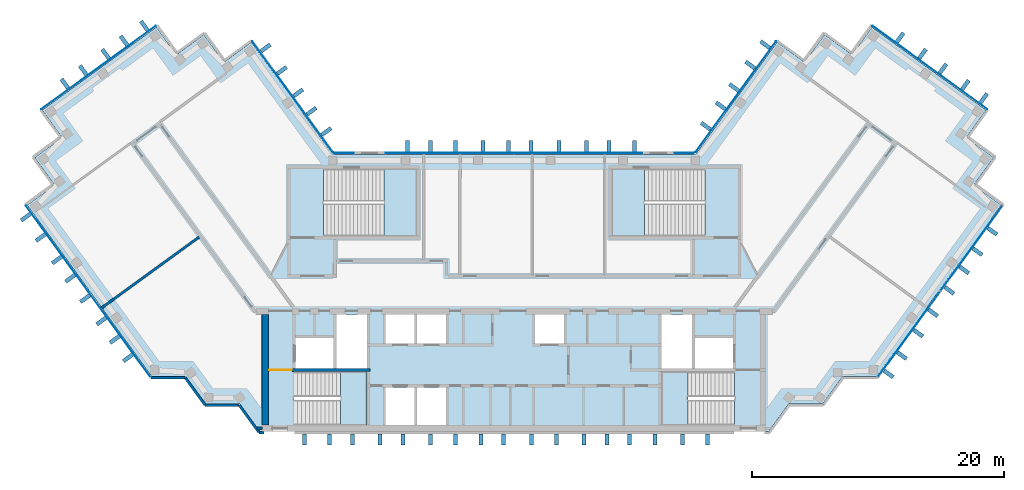
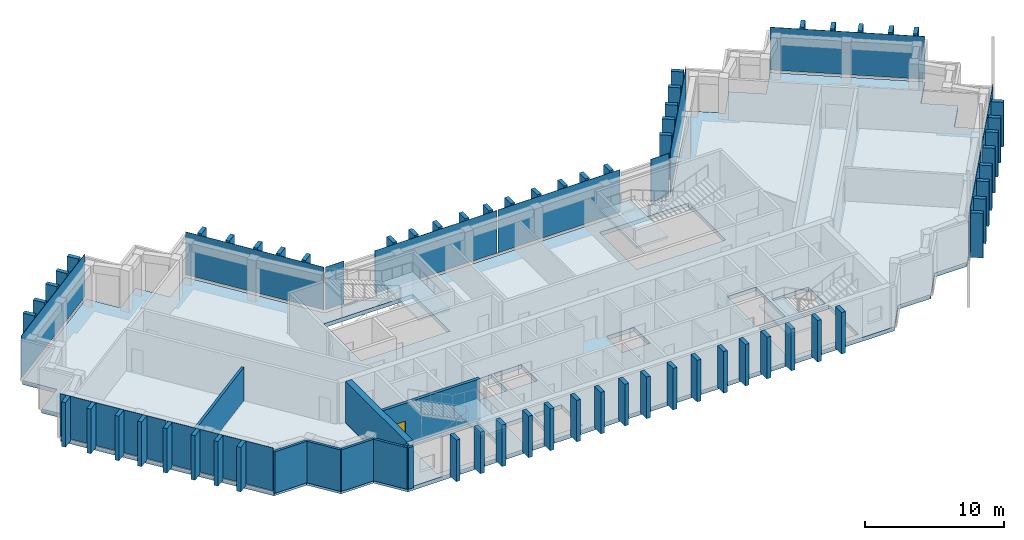
"""IFC4 building model written with IfcOpenShell, lengths in metres."""

from ifc_helpers import new_model, si_unit, direction, frame, frame_2d, origin, origin_2d, place, context, subcontext, project, spatial, polyline, rectangle, outline, extrude, material, layer, layer_set, type_object, element, fill, aggregate, save


model = new_model("IFC4")

# Units and contexts
model_context = context("Model", 3, precision=1e-05, world=origin(), true_north=direction((0.0, 1.0)))
body_context = subcontext(model_context, "Body", "Model", "MODEL_VIEW")
ifc_project = project(units=[si_unit("LENGTHUNIT", "METRE"), si_unit("AREAUNIT", "SQUARE_METRE"), si_unit("VOLUMEUNIT", "CUBIC_METRE"), si_unit("PLANEANGLEUNIT", "RADIAN"), si_unit("MASSUNIT", "GRAM", prefix="KILO")], contexts=[model_context])

# Site, building, storey
site_placement = place(None, origin())
site = spatial("IfcSite", under=ifc_project, at=site_placement, CompositionType="ELEMENT")
building_placement = place(site_placement, origin())
building = spatial("IfcBuilding", under=site, at=building_placement, Name="Quipu Civic Tower", CompositionType="ELEMENT")
storey_1_placement = place(building_placement, frame((0.0, 0.0, 339.0)))
storey_1 = spatial("IfcBuildingStorey", under=building, at=storey_1_placement, Name="L79", CompositionType="ELEMENT", Elevation=339.0)

# Slab
ifc_material_1 = material(Name="Concrete C40/50", Category="concrete")
ifc_layer_1 = layer(ifc_material_1, 0.35009765625)
ifc_layer_set_1 = layer_set([ifc_layer_1], Name="Concrete C40/50")
slab_type_1 = type_object("IfcSlabType", Name="Floor slab 350 C40/50", PredefinedType="FLOOR", material=ifc_layer_set_1)
slab_1_placement = place(storey_1_placement, frame((0.0, 0.0, -0.35009765625)))
element("IfcSlab", 1, at=slab_1_placement, inside=storey_1, type_object=slab_type_1, Name="Floor slab L79", PredefinedType="FLOOR", context=body_context, shape_type="SweptSolid", body=[
    extrude(outline(polyline([(20.860107421875, 19.89501953125), (23.0400390625, 18.31005859375), (24.6298828125, 20.4951171875), (26.81494140625, 18.905029296875), (28.39990234375, 21.090087890625), (37.4599609375, 14.5048828125), (35.875, 12.320068359375), (38.06005859375, 10.735107421875), (36.469970703125, 8.550048828125), (38.655029296875, 6.965087890625), (28.780029296875, -6.6298828125), (26.080078125, -6.6298828125), (24.489990234375, -8.81494140625), (21.7900390625, -8.81494140625), (20.205078125, -11.0), (-20.205078125, -11.0), (-21.7900390625, -8.81494140625), (-24.489990234375, -8.81494140625), (-26.080078125, -6.6298828125), (-28.780029296875, -6.6298828125), (-38.655029296875, 6.965087890625), (-36.469970703125, 8.550048828125), (-38.06005859375, 10.735107421875), (-35.875, 12.320068359375), (-37.4599609375, 14.5048828125), (-28.39990234375, 21.090087890625), (-26.81494140625, 18.905029296875), (-24.6298828125, 20.4951171875), (-23.0400390625, 18.31005859375), (-20.860107421875, 19.89501953125), (-14.39501953125, 11.0), (14.39501953125, 11.0), (20.860107421875, 19.89501953125)]), holes=[polyline([(-10.199951171875, -10.5), (-7.89990234375, -10.5), (-7.89990234375, -7.5), (-10.199951171875, -7.5), (-10.199951171875, -10.5)]), polyline([(-7.699951171875, -7.5), (-7.699951171875, -10.5), (-5.39990234375, -10.5), (-5.39990234375, -7.5), (-7.699951171875, -7.5)]), polyline([(-11.705078125, -6.2548828125), (-17.4951171875, -6.2548828125), (-17.4951171875, -10.4951171875), (-11.705078125, -10.4951171875), (-11.705078125, -6.2548828125)]), polyline([(-17.35009765625, -6.0), (-14.35009765625, -6.0), (-14.35009765625, -3.60009765625), (-17.35009765625, -3.60009765625), (-17.35009765625, -6.0)]), polyline([(-14.10009765625, -1.699951171875), (-14.10009765625, -6.0), (-11.699951171875, -6.0), (-11.699951171875, -1.699951171875), (-14.10009765625, -1.699951171875)]), polyline([(-10.199951171875, -1.699951171875), (-10.199951171875, -4.0), (-7.89990234375, -4.0), (-7.89990234375, -1.699951171875), (-10.199951171875, -1.699951171875)]), polyline([(-15.14501953125, 9.844970703125), (-15.14501953125, 4.5048828125), (-7.7548828125, 4.5048828125), (-7.7548828125, 9.844970703125), (-15.14501953125, 9.844970703125)]), polyline([(11.705078125, -10.4951171875), (17.4951171875, -10.4951171875), (17.4951171875, -6.2548828125), (11.705078125, -6.2548828125), (11.705078125, -10.4951171875)]), polyline([(14.35009765625, -3.60009765625), (14.35009765625, -6.0), (17.35009765625, -6.0), (17.35009765625, -3.60009765625), (14.35009765625, -3.60009765625)]), polyline([(11.699951171875, -1.699951171875), (11.699951171875, -6.0), (14.10009765625, -6.0), (14.10009765625, -1.699951171875), (11.699951171875, -1.699951171875)]), polyline([(-7.699951171875, -1.699951171875), (-7.699951171875, -4.0), (-5.39990234375, -4.0), (-5.39990234375, -1.699951171875), (-7.699951171875, -1.699951171875)]), polyline([(1.64990234375, -1.699951171875), (1.64990234375, -4.0), (3.949951171875, -4.0), (3.949951171875, -1.699951171875), (1.64990234375, -1.699951171875)]), polyline([(7.7548828125, 4.5048828125), (15.14501953125, 4.5048828125), (15.14501953125, 9.844970703125), (7.7548828125, 9.844970703125), (7.7548828125, 4.5048828125)])]), origin(), (0.0, 0.0, 1.0), 0.35009765625),
])

# Storey
storey_2_placement = place(building_placement, frame((0.0, 0.0, 335.0)))
storey_2 = spatial("IfcBuildingStorey", under=building, at=storey_2_placement, Name="L78", CompositionType="ELEMENT", Elevation=335.0)

# Curtain wall, plate
ifc_material_2 = material(Name="Insulated glass unit", Category="glass")
curtain_wall_type = type_object("IfcCurtainWallType", Name="Office curtain wall CW1", PredefinedType="NOTDEFINED", material=ifc_material_2)
curtain_wall_1_placement = place(storey_2_placement, origin())
curtain_wall_1 = element("IfcCurtainWall", 2, at=curtain_wall_1_placement, inside=storey_2, type_object=curtain_wall_type, Name="Office curtain wall CW1 L77 run 1", PredefinedType="NOTDEFINED")
ifc_material_3 = material(Name="Insulated glass unit", Category="glass")
ifc_layer_2 = layer(ifc_material_3, 0.028076171875)
ifc_layer_set_2 = layer_set([ifc_layer_2], Name="Insulated glass unit")
plate_type_1 = type_object("IfcPlateType", Name="Glass panel CW1", PredefinedType="CURTAIN_PANEL", material=ifc_layer_set_2)
plate_1_placement = place(storey_1_placement, frame((-17.590087890625, 15.5673828125, 0.16015625), z_axis=(0.0, 0.0, 1.0), x_axis=(-0.587787771652, 0.809015163947, 0.0)))
plate_1 = element("IfcPlate", 3, at=plate_1_placement, inside=storey_1, type_object=plate_type_1, Name="CW1 panel 1.3", PredefinedType="CURTAIN_PANEL", context=body_context, shape_type="SweptSolid", body=[
    extrude(rectangle(XDim=10.88427734375, YDim=0.028076171875, at=origin_2d()), origin(), (0.0, 0.0, 1.0), 3.760009765625),
])
aggregate(curtain_wall_1, [plate_1])

curtain_wall_2_placement = place(storey_2_placement, origin())
curtain_wall_2 = element("IfcCurtainWall", 4, at=curtain_wall_2_placement, inside=storey_2, type_object=curtain_wall_type, Name="Office curtain wall CW1 L77 run 6", PredefinedType="NOTDEFINED")
plate_2_placement = place(storey_1_placement, frame((-32.989990234375, 17.87939453125, 0.16015625), z_axis=(0.0, 0.0, 1.0), x_axis=(-0.809015176832, -0.587787753918, 0.0)))
plate_2 = element("IfcPlate", 5, at=plate_2_placement, inside=storey_1, type_object=plate_type_1, Name="CW1 panel 1.3", PredefinedType="CURTAIN_PANEL", context=body_context, shape_type="SweptSolid", body=[
    extrude(rectangle(XDim=11.239990234375, YDim=0.028076171875, at=origin_2d()), origin(), (0.0, 0.0, 1.0), 3.760009765625),
])
aggregate(curtain_wall_2, [plate_2])

# Curtain wall, plates
curtain_wall_3_placement = place(storey_2_placement, origin())
curtain_wall_3 = element("IfcCurtainWall", 6, at=curtain_wall_3_placement, inside=storey_2, type_object=curtain_wall_type, Name="Office curtain wall CW1 L77 run 11", PredefinedType="NOTDEFINED")
plate_3_placement = place(storey_1_placement, frame((-36.292724609375, 3.54052734375, 0.16015625), z_axis=(0.0, 0.0, 1.0), x_axis=(0.587786237643, -0.809016278475, 0.0)))
plate_3 = element("IfcPlate", 7, at=plate_3_placement, inside=storey_1, type_object=plate_type_1, Name="CW1 panel 1.3", PredefinedType="CURTAIN_PANEL", context=body_context, shape_type="SweptSolid", body=[
    extrude(rectangle(XDim=8.35791015625, YDim=0.028076171875, at=origin_2d()), origin(), (0.0, 0.0, 1.0), 3.760009765625),
])
plate_4_placement = place(storey_1_placement, frame((-31.333251953125, -3.285888671875, 0.16015625), z_axis=(0.0, 0.0, 1.0), x_axis=(0.587786237643, -0.809016278475, 0.0)))
plate_4 = element("IfcPlate", 8, at=plate_4_placement, inside=storey_1, type_object=plate_type_1, Name="CW1 panel 2.3", PredefinedType="CURTAIN_PANEL", context=body_context, shape_type="SweptSolid", body=[
    extrude(rectangle(XDim=8.35791015625, YDim=0.028076171875, at=origin_2d()), origin(), (0.0, 0.0, 1.0), 3.760009765625),
])
aggregate(curtain_wall_3, [plate_3, plate_4])

# Curtain wall, plate
curtain_wall_4_placement = place(storey_2_placement, origin())
curtain_wall_4 = element("IfcCurtainWall", 9, at=curtain_wall_4_placement, inside=storey_2, type_object=curtain_wall_type, Name="Office curtain wall CW1 L77 run 21", PredefinedType="NOTDEFINED")
plate_5_placement = place(storey_1_placement, frame((32.989990234375, 17.87939453125, 0.16015625), z_axis=(0.0, 0.0, 1.0), x_axis=(-0.809015176832, 0.587787753918, 0.0)))
plate_5 = element("IfcPlate", 10, at=plate_5_placement, inside=storey_1, type_object=plate_type_1, Name="CW1 panel 1.3", PredefinedType="CURTAIN_PANEL", context=body_context, shape_type="SweptSolid", body=[
    extrude(rectangle(XDim=11.239990234375, YDim=0.028076171875, at=origin_2d()), origin(), (0.0, 0.0, 1.0), 3.760009765625),
])
aggregate(curtain_wall_4, [plate_5])

curtain_wall_5_placement = place(storey_2_placement, origin())
curtain_wall_5 = element("IfcCurtainWall", 11, at=curtain_wall_5_placement, inside=storey_2, type_object=curtain_wall_type, Name="Office curtain wall CW1 L77 run 26", PredefinedType="NOTDEFINED")
plate_6_placement = place(storey_1_placement, frame((17.590087890625, 15.5673828125, 0.16015625), z_axis=(0.0, 0.0, 1.0), x_axis=(-0.587787771652, -0.809015163947, 0.0)))
plate_6 = element("IfcPlate", 12, at=plate_6_placement, inside=storey_1, type_object=plate_type_1, Name="CW1 panel 1.3", PredefinedType="CURTAIN_PANEL", context=body_context, shape_type="SweptSolid", body=[
    extrude(rectangle(XDim=10.88427734375, YDim=0.028076171875, at=origin_2d()), origin(), (0.0, 0.0, 1.0), 3.760009765625),
])
aggregate(curtain_wall_5, [plate_6])

curtain_wall_6_placement = place(storey_2_placement, origin())
curtain_wall_6 = element("IfcCurtainWall", 13, at=curtain_wall_6_placement, inside=storey_2, type_object=curtain_wall_type, Name="Office curtain wall CW1 L77 run 27", PredefinedType="NOTDEFINED")
plate_7_placement = place(storey_1_placement, frame((13.49951171875, 11.10009765625, 0.16015625), z_axis=(0.0, 0.0, 1.0), x_axis=(-1.0, 0.0, 0.0)))
plate_7 = element("IfcPlate", 14, at=plate_7_placement, inside=storey_1, type_object=plate_type_1, Name="CW1 panel 1.3", PredefinedType="CURTAIN_PANEL", context=body_context, shape_type="SweptSolid", body=[
    extrude(rectangle(XDim=1.529296875, YDim=0.028076171875, at=origin_2d()), origin(), (0.0, 0.0, 1.0), 3.760009765625),
])
aggregate(curtain_wall_6, [plate_7])

# Curtain wall, plates
curtain_wall_7_placement = place(storey_2_placement, origin())
curtain_wall_7 = element("IfcCurtainWall", 15, at=curtain_wall_7_placement, inside=storey_2, type_object=curtain_wall_type, Name="Office curtain wall CW1 L77 run 29", PredefinedType="NOTDEFINED")
plate_8_placement = place(storey_1_placement, frame((5.11181640625, 11.10009765625, 0.16015625), z_axis=(0.0, 0.0, 1.0), x_axis=(-1.0, 0.0, 0.0)))
plate_8 = element("IfcPlate", 16, at=plate_8_placement, inside=storey_1, type_object=plate_type_1, Name="CW1 panel 1.3", PredefinedType="CURTAIN_PANEL", context=body_context, shape_type="SweptSolid", body=[
    extrude(rectangle(XDim=10.1435546875, YDim=0.028076171875, at=origin_2d()), origin(), (0.0, 0.0, 1.0), 3.760009765625),
])
plate_9_placement = place(storey_1_placement, frame((-5.11181640625, 11.10009765625, 0.16015625), z_axis=(0.0, 0.0, 1.0), x_axis=(-1.0, 0.0, 0.0)))
plate_9 = element("IfcPlate", 17, at=plate_9_placement, inside=storey_1, type_object=plate_type_1, Name="CW1 panel 2.3", PredefinedType="CURTAIN_PANEL", context=body_context, shape_type="SweptSolid", body=[
    extrude(rectangle(XDim=10.1435546875, YDim=0.028076171875, at=origin_2d()), origin(), (0.0, 0.0, 1.0), 3.760009765625),
])
aggregate(curtain_wall_7, [plate_8, plate_9])

# Curtain wall, plate
curtain_wall_8_placement = place(storey_2_placement, origin())
curtain_wall_8 = element("IfcCurtainWall", 18, at=curtain_wall_8_placement, inside=storey_2, type_object=curtain_wall_type, Name="Office curtain wall CW1 L77 run 31", PredefinedType="NOTDEFINED")
plate_10_placement = place(storey_1_placement, frame((-13.49951171875, 11.10009765625, 0.16015625), z_axis=(0.0, 0.0, 1.0), x_axis=(-1.0, 0.0, 0.0)))
plate_10 = element("IfcPlate", 19, at=plate_10_placement, inside=storey_1, type_object=plate_type_1, Name="CW1 panel 1.3", PredefinedType="CURTAIN_PANEL", context=body_context, shape_type="SweptSolid", body=[
    extrude(rectangle(XDim=1.529296875, YDim=0.028076171875, at=origin_2d()), origin(), (0.0, 0.0, 1.0), 3.760009765625),
])
aggregate(curtain_wall_8, [plate_10])

# Curtain wall, plates
curtain_wall_9_placement = place(storey_1_placement, origin())
curtain_wall_9 = element("IfcCurtainWall", 20, at=curtain_wall_9_placement, inside=storey_1, type_object=curtain_wall_type, Name="Office curtain wall CW1 L78 run 4", PredefinedType="NOTDEFINED")
plate_11_placement = place(storey_1_placement, frame((31.333251953125, -3.285888671875, 0.16015625), z_axis=(0.0, 0.0, 1.0), x_axis=(0.587786237643, 0.809016278475, 0.0)))
plate_11 = element("IfcPlate", 21, at=plate_11_placement, type_object=plate_type_1, Name="CW1 panel 1.2", PredefinedType="CURTAIN_PANEL", context=body_context, shape_type="SweptSolid", body=[
    extrude(rectangle(XDim=8.35791015625, YDim=0.028076171875, at=origin_2d()), origin(), (0.0, 0.0, 1.0), 3.840087890625),
])
plate_12_placement = place(storey_1_placement, frame((36.292724609375, 3.54052734375, 0.16015625), z_axis=(0.0, 0.0, 1.0), x_axis=(0.587786237643, 0.809016278475, 0.0)))
plate_12 = element("IfcPlate", 22, at=plate_12_placement, type_object=plate_type_1, Name="CW1 panel 2.2", PredefinedType="CURTAIN_PANEL", context=body_context, shape_type="SweptSolid", body=[
    extrude(rectangle(XDim=8.35791015625, YDim=0.028076171875, at=origin_2d()), origin(), (0.0, 0.0, 1.0), 3.840087890625),
])
aggregate(curtain_wall_9, [plate_11, plate_12])

# Plates
ifc_material_4 = material(Name="Precast concrete C40/50", Category="concrete")
plate_type_2 = type_object("IfcPlateType", Name="Precast fin F3", PredefinedType="SHEET", material=ifc_material_4)
for number, where, z_axis, x_axis, name in (
    (23, (-14.90380859375, 12.805908203125, 0.080078125), (0.0, 0.0, 1.0), (-0.58778443384, 0.809017589015, 0.0), "Precast fin F3 L79.P01.1"),
    (24, (-16.079345703125, 14.424072265625, 0.080078125), (0.0, 0.0, 1.0), (-0.58778443384, 0.809017589015, 0.0), "Precast fin F3 L79.P01.2"),
    (25, (-17.137451171875, 15.880126953125, 0.080078125), (0.0, 0.0, 1.0), (-0.58778443384, 0.809017589015, 0.0), "Precast fin F3 L79.P01.3"),
    (26, (-18.4306640625, 17.66015625, 0.080078125), (0.0, 0.0, 1.0), (-0.58778443384, 0.809017589015, 0.0), "Precast fin F3 L79.P01.4"),
    (27, (-19.7236328125, 19.43994140625, 0.080078125), (0.0, 0.0, 1.0), (-0.58778443384, 0.809017589015, 0.0), "Precast fin F3 L79.P01.5"),
    (28, (-29.357177734375, 21.198486328125, 0.080078125), (0.0, 0.0, 1.0), (-0.809017072762, -0.587785144401, 0.0), "Precast fin F3 L79.P06.1"),
    (29, (-30.975341796875, 20.02294921875, 0.080078125), (0.0, 0.0, 1.0), (-0.809017072762, -0.587785144401, 0.0), "Precast fin F3 L79.P06.2"),
    (30, (-32.431640625, 18.96484375, 0.080078125), (0.0, 0.0, 1.0), (-0.809017072762, -0.587785144401, 0.0), "Precast fin F3 L79.P06.3"),
    (31, (-34.21142578125, 17.671875, 0.080078125), (0.0, 0.0, 1.0), (-0.809017072762, -0.587785144401, 0.0), "Precast fin F3 L79.P06.4"),
    (32, (-35.66748046875, 16.61376953125, 0.080078125), (0.0, 0.0, 1.0), (-0.809017072762, -0.587785144401, 0.0), "Precast fin F3 L79.P06.5"),
    (33, (-38.764892578125, 6.007568359375, 0.080078125), (0.0, 0.0, 1.0), (0.587786668783, -0.809015965233, 0.0), "Precast fin F3 L79.P11.1"),
    (34, (-37.58935546875, 4.389404296875, 0.080078125), (0.0, 0.0, 1.0), (0.587786668783, -0.809015965233, 0.0), "Precast fin F3 L79.P11.2"),
    (35, (-36.296142578125, 2.609619140625, 0.080078125), (0.0, 0.0, 1.0), (0.587786668783, -0.809015965233, 0.0), "Precast fin F3 L79.P11.3"),
    (36, (-35.23828125, 1.1533203125, 0.080078125), (0.0, 0.0, 1.0), (0.587786668783, -0.809015965233, 0.0), "Precast fin F3 L79.P11.4"),
    (37, (-34.062744140625, -0.464599609375, 0.080078125), (0.0, 0.0, 1.0), (0.587786668783, -0.809015965233, 0.0), "Precast fin F3 L79.P11.5"),
    (38, (-32.76953125, -2.244384765625, 0.080078125), (0.0, 0.0, 1.0), (0.587786668783, -0.809015965233, 0.0), "Precast fin F3 L79.P11.6"),
    (39, (-31.71142578125, -3.70068359375, 0.080078125), (0.0, 0.0, 1.0), (0.587786668783, -0.809015965233, 0.0), "Precast fin F3 L79.P11.7"),
    (40, (-30.653564453125, -5.156982421875, 0.080078125), (0.0, 0.0, 1.0), (0.587786668783, -0.809015965233, 0.0), "Precast fin F3 L79.P11.8"),
):
    element("IfcPlate", number, at=place(storey_1_placement, frame(where, z_axis=z_axis, x_axis=x_axis)), inside=storey_1, type_object=plate_type_2, Name=name, PredefinedType="SHEET", context=body_context, shape_type="SweptSolid", body=[
        extrude(rectangle(XDim=0.320068359375, YDim=0.89990234375, at=origin_2d()), origin(), (0.0, 0.0, 1.0), 3.919921875),
    ])
for number, where, z_axis, x_axis, name in (
    (41, (-16.639892578125, -11.637939453125, 0.0), (0.0, 0.0, 1.0), (1.0, 0.0, 0.0), "Precast fin F3 L79.P18.1"),
    (42, (-14.639892578125, -11.637939453125, 0.0), (0.0, 0.0, 1.0), (1.0, 0.0, 0.0), "Precast fin F3 L79.P18.2"),
    (43, (-12.840087890625, -11.637939453125, 0.0), (0.0, 0.0, 1.0), (1.0, 0.0, 0.0), "Precast fin F3 L79.P18.3"),
    (44, (-10.639892578125, -11.637939453125, 0.0), (0.0, 0.0, 1.0), (1.0, 0.0, 0.0), "Precast fin F3 L79.P18.4"),
    (45, (-8.840087890625, -11.637939453125, 0.0), (0.0, 0.0, 1.0), (1.0, 0.0, 0.0), "Precast fin F3 L79.P18.5"),
    (46, (-6.639892578125, -11.637939453125, 0.0), (0.0, 0.0, 1.0), (1.0, 0.0, 0.0), "Precast fin F3 L79.P18.6"),
    (47, (-4.639892578125, -11.637939453125, 0.0), (0.0, 0.0, 1.0), (1.0, 0.0, 0.0), "Precast fin F3 L79.P18.7"),
    (48, (-2.639892578125, -11.637939453125, 0.0), (0.0, 0.0, 1.0), (1.0, 0.0, 0.0), "Precast fin F3 L79.P18.8"),
    (49, (-0.840087890625, -11.637939453125, 0.0), (0.0, 0.0, 1.0), (1.0, 0.0, 0.0), "Precast fin F3 L79.P18.9"),
    (50, (1.360107421875, -11.637939453125, 0.0), (0.0, 0.0, 1.0), (1.0, 0.0, 0.0), "Precast fin F3 L79.P18.10"),
    (51, (3.360107421875, -11.637939453125, 0.0), (0.0, 0.0, 1.0), (1.0, 0.0, 0.0), "Precast fin F3 L79.P18.11"),
    (52, (5.56005859375, -11.637939453125, 0.0), (0.0, 0.0, 1.0), (1.0, 0.0, 0.0), "Precast fin F3 L79.P18.12"),
    (53, (7.360107421875, -11.637939453125, 0.0), (0.0, 0.0, 1.0), (1.0, 0.0, 0.0), "Precast fin F3 L79.P18.13"),
    (54, (9.159912109375, -11.637939453125, 0.0), (0.0, 0.0, 1.0), (1.0, 0.0, 0.0), "Precast fin F3 L79.P18.14"),
    (55, (11.159912109375, -11.637939453125, 0.0), (0.0, 0.0, 1.0), (1.0, 0.0, 0.0), "Precast fin F3 L79.P18.15"),
    (56, (13.360107421875, -11.637939453125, 0.0), (0.0, 0.0, 1.0), (1.0, 0.0, 0.0), "Precast fin F3 L79.P18.16"),
    (57, (15.360107421875, -11.637939453125, 0.0), (0.0, 0.0, 1.0), (1.0, 0.0, 0.0), "Precast fin F3 L79.P18.17"),
):
    element("IfcPlate", number, at=place(storey_1_placement, frame(where, z_axis=z_axis, x_axis=x_axis)), inside=storey_1, type_object=plate_type_2, Name=name, PredefinedType="SHEET", context=body_context, shape_type="SweptSolid", body=[
        extrude(rectangle(XDim=0.320068359375, YDim=0.89990234375, at=origin_2d()), origin(), (0.0, 0.0, 1.0), 3.64990234375),
    ])
for number, where, z_axis, x_axis, name in (
    (58, (37.26953125, 15.449951171875, 0.080078125), (0.0, 0.0, 1.0), (-0.809017072762, 0.587785144401, 0.0), "Precast fin F3 L79.P22.1"),
    (59, (35.813232421875, 16.508056640625, 0.080078125), (0.0, 0.0, 1.0), (-0.809017072762, 0.587785144401, 0.0), "Precast fin F3 L79.P22.2"),
    (60, (34.033447265625, 17.801025390625, 0.080078125), (0.0, 0.0, 1.0), (-0.809017072762, 0.587785144401, 0.0), "Precast fin F3 L79.P22.3"),
    (61, (32.415283203125, 18.976806640625, 0.080078125), (0.0, 0.0, 1.0), (-0.809017072762, 0.587785144401, 0.0), "Precast fin F3 L79.P22.4"),
    (62, (30.635498046875, 20.269775390625, 0.080078125), (0.0, 0.0, 1.0), (-0.809017072762, 0.587785144401, 0.0), "Precast fin F3 L79.P22.5"),
    (63, (19.914794921875, 19.702880859375, 0.080078125), (0.0, 0.0, 1.0), (-0.58778443384, -0.809017589015, 0.0), "Precast fin F3 L79.P27.1"),
    (64, (18.7392578125, 18.0849609375, 0.080078125), (0.0, 0.0, 1.0), (-0.58778443384, -0.809017589015, 0.0), "Precast fin F3 L79.P27.2"),
    (65, (17.446044921875, 16.30517578125, 0.080078125), (0.0, 0.0, 1.0), (-0.58778443384, -0.809017589015, 0.0), "Precast fin F3 L79.P27.3"),
    (66, (16.38818359375, 14.848876953125, 0.080078125), (0.0, 0.0, 1.0), (-0.58778443384, -0.809017589015, 0.0), "Precast fin F3 L79.P27.4"),
    (67, (15.212646484375, 13.230712890625, 0.080078125), (0.0, 0.0, 1.0), (-0.58778443384, -0.809017589015, 0.0), "Precast fin F3 L79.P27.5"),
    (68, (9.5400390625, 11.64990234375, 0.080078125), (0.0, 0.0, 1.0), (-1.0, 0.0, 0.0), "Precast fin F3 L79.P30.1"),
    (69, (7.5400390625, 11.64990234375, 0.080078125), (0.0, 0.0, 1.0), (-1.0, 0.0, 0.0), "Precast fin F3 L79.P30.2"),
    (70, (5.739990234375, 11.64990234375, 0.080078125), (0.0, 0.0, 1.0), (-1.0, 0.0, 0.0), "Precast fin F3 L79.P30.3"),
    (71, (3.5400390625, 11.64990234375, 0.080078125), (0.0, 0.0, 1.0), (-1.0, 0.0, 0.0), "Precast fin F3 L79.P30.4"),
    (72, (1.340087890625, 11.64990234375, 0.080078125), (0.0, 0.0, 1.0), (-1.0, 0.0, 0.0), "Precast fin F3 L79.P30.5"),
    (73, (-0.4599609375, 11.64990234375, 0.080078125), (0.0, 0.0, 1.0), (-1.0, 0.0, 0.0), "Precast fin F3 L79.P30.6"),
    (74, (-2.4599609375, 11.64990234375, 0.080078125), (0.0, 0.0, 1.0), (-1.0, 0.0, 0.0), "Precast fin F3 L79.P30.7"),
    (75, (-4.659912109375, 11.64990234375, 0.080078125), (0.0, 0.0, 1.0), (-1.0, 0.0, 0.0), "Precast fin F3 L79.P30.8"),
    (76, (-6.659912109375, 11.64990234375, 0.080078125), (0.0, 0.0, 1.0), (-1.0, 0.0, 0.0), "Precast fin F3 L79.P30.9"),
    (77, (-8.4599609375, 11.64990234375, 0.080078125), (0.0, 0.0, 1.0), (-1.0, 0.0, 0.0), "Precast fin F3 L79.P30.10"),
    (78, (29.721923828125, -6.43896484375, 0.080078125), (0.0, 0.0, 1.0), (0.587786668783, 0.809015965233, 0.0), "Precast fin F3 L79.P36.1"),
    (79, (30.780029296875, -4.982666015625, 0.080078125), (0.0, 0.0, 1.0), (0.587786668783, 0.809015965233, 0.0), "Precast fin F3 L79.P36.2"),
    (80, (32.0732421875, -3.202880859375, 0.080078125), (0.0, 0.0, 1.0), (0.587786668783, 0.809015965233, 0.0), "Precast fin F3 L79.P36.3"),
    (81, (33.248779296875, -1.5849609375, 0.080078125), (0.0, 0.0, 1.0), (0.587786668783, 0.809015965233, 0.0), "Precast fin F3 L79.P36.4"),
    (82, (34.541748046875, 0.195068359375, 0.080078125), (0.0, 0.0, 1.0), (0.587786668783, 0.809015965233, 0.0), "Precast fin F3 L79.P36.5"),
    (83, (35.717529296875, 1.81298828125, 0.080078125), (0.0, 0.0, 1.0), (0.587786668783, 0.809015965233, 0.0), "Precast fin F3 L79.P36.6"),
    (84, (36.775390625, 3.269287109375, 0.080078125), (0.0, 0.0, 1.0), (0.587786668783, 0.809015965233, 0.0), "Precast fin F3 L79.P36.7"),
    (85, (37.950927734375, 4.88720703125, 0.080078125), (0.0, 0.0, 1.0), (0.587786668783, 0.809015965233, 0.0), "Precast fin F3 L79.P36.8"),
):
    element("IfcPlate", number, at=place(storey_1_placement, frame(where, z_axis=z_axis, x_axis=x_axis)), inside=storey_1, type_object=plate_type_2, Name=name, PredefinedType="SHEET", context=body_context, shape_type="SweptSolid", body=[
        extrude(rectangle(XDim=0.320068359375, YDim=0.89990234375, at=origin_2d()), origin(), (0.0, 0.0, 1.0), 3.919921875),
    ])

# Stair, slab
ifc_material_5 = material(Name="Concrete C40/50", Category="concrete")
stair_type_1 = type_object("IfcStairType", Name="Half turn stair 2000", PredefinedType="HALF_TURN_STAIR", material=ifc_material_5)
stair_1_placement = place(storey_1_placement, origin())
stair_1 = element("IfcStair", 86, at=stair_1_placement, inside=storey_1, type_object=stair_type_1, Name="Exit stair 1", PredefinedType="HALF_TURN_STAIR")
ifc_material_6 = material(Name="Concrete C40/50", Category="concrete")
ifc_layer_3 = layer(ifc_material_6, 0.199951171875)
ifc_layer_set_3 = layer_set([ifc_layer_3], Name="Concrete C40/50")
slab_type_2 = type_object("IfcSlabType", Name="Stair landing 200", PredefinedType="LANDING", material=ifc_layer_set_3)
slab_2_placement = place(storey_1_placement, frame((0.0, 0.0, 1.800048828125)))
slab_2 = element("IfcSlab", 87, at=slab_2_placement, type_object=slab_type_2, Name="ST-1 landing 1", PredefinedType="LANDING", context=body_context, shape_type="SweptSolid", body=[
    extrude(outline(polyline([(-13.780029296875, -10.5), (-11.699951171875, -10.5), (-11.699951171875, -6.25), (-13.780029296875, -6.25), (-13.780029296875, -10.5)])), origin(), (0.0, 0.0, 1.0), 0.199951171875),
])
aggregate(stair_1, [slab_2])

stair_2_placement = place(storey_1_placement, origin())
stair_2 = element("IfcStair", 88, at=stair_2_placement, inside=storey_1, type_object=stair_type_1, Name="Exit stair 2", PredefinedType="HALF_TURN_STAIR")
slab_3_placement = place(storey_1_placement, frame((0.0, 0.0, 1.800048828125)))
slab_3 = element("IfcSlab", 89, at=slab_3_placement, type_object=slab_type_2, Name="ST-2 landing 1", PredefinedType="LANDING", context=body_context, shape_type="SweptSolid", body=[
    extrude(outline(polyline([(13.780029296875, -6.25), (11.699951171875, -6.25), (11.699951171875, -10.5), (13.780029296875, -10.5), (13.780029296875, -6.25)])), origin(), (0.0, 0.0, 1.0), 0.199951171875),
])
aggregate(stair_2, [slab_3])

ifc_material_7 = material(Name="Concrete C40/50", Category="concrete")
stair_type_2 = type_object("IfcStairType", Name="Half turn stair 2600", PredefinedType="HALF_TURN_STAIR", material=ifc_material_7)
stair_3_placement = place(storey_1_placement, origin())
stair_3 = element("IfcStair", 90, at=stair_3_placement, inside=storey_1, type_object=stair_type_2, Name="Exit stair 3", PredefinedType="HALF_TURN_STAIR")
slab_4_placement = place(storey_1_placement, frame((0.0, 0.0, 1.800048828125)))
slab_4 = element("IfcSlab", 91, at=slab_4_placement, type_object=slab_type_2, Name="ST-3 landing 1", PredefinedType="LANDING", context=body_context, shape_type="SweptSolid", body=[
    extrude(outline(polyline([(-10.35009765625, 4.5), (-7.75, 4.5), (-7.75, 9.85009765625), (-10.35009765625, 9.85009765625), (-10.35009765625, 4.5)])), origin(), (0.0, 0.0, 1.0), 0.199951171875),
])
aggregate(stair_3, [slab_4])

stair_4_placement = place(storey_1_placement, origin())
stair_4 = element("IfcStair", 92, at=stair_4_placement, inside=storey_1, type_object=stair_type_2, Name="Exit stair 4", PredefinedType="HALF_TURN_STAIR")
slab_5_placement = place(storey_1_placement, frame((0.0, 0.0, 1.800048828125)))
slab_5 = element("IfcSlab", 93, at=slab_5_placement, type_object=slab_type_2, Name="ST-4 landing 1", PredefinedType="LANDING", context=body_context, shape_type="SweptSolid", body=[
    extrude(outline(polyline([(10.35009765625, 9.85009765625), (7.75, 9.85009765625), (7.75, 4.5), (10.35009765625, 4.5), (10.35009765625, 9.85009765625)])), origin(), (0.0, 0.0, 1.0), 0.199951171875),
])
aggregate(stair_4, [slab_5])

# Wall
ifc_material_8 = material(Name="Fired clay blockwork", Category="masonry")
ifc_layer_4 = layer(ifc_material_8, 0.199951171875)
ifc_layer_set_4 = layer_set([ifc_layer_4], Name="Fired clay blockwork")
wall_type_1 = type_object("IfcWallType", Name="Blockwork wall 200", PredefinedType="SOLIDWALL", material=ifc_layer_set_4)
wall_1_placement = place(storey_1_placement, frame((-25.00830078125, 4.4267578125, 0.0), z_axis=(0.0, 0.0, 1.0), x_axis=(-0.808994684961, -0.587815957341, 0.0)))
element("IfcWall", 94, at=wall_1_placement, inside=storey_1, type_object=wall_type_1, Name="Partition P09", PredefinedType="SOLIDWALL", context=body_context, shape_type="SweptSolid", body=[
    extrude(rectangle(XDim=9.55029296875, YDim=0.199951171875, at=frame_2d((4.775146484375, 0.0))), origin(), (0.0, 0.0, 1.0), 2.949951171875),
])

# Wall, opening, door
ifc_material_9 = material(Name="Concrete C70/85", Category="concrete")
ifc_layer_5 = layer(ifc_material_9, 0.25)
ifc_layer_set_5 = layer_set([ifc_layer_5], Name="Concrete C70/85")
wall_type_2 = type_object("IfcWallType", Name="Core wall 250", PredefinedType="SHEAR", material=ifc_layer_set_5)
wall_2_placement = place(storey_1_placement, frame((-11.449951171875, -6.125, 0.0), z_axis=(0.0, 0.0, 1.0), x_axis=(-1.0, 0.0, 0.0)))
wall_2 = element("IfcWall", 95, at=wall_2_placement, inside=storey_1, type_object=wall_type_2, Name="Core wall", PredefinedType="SHEAR", context=body_context, shape_type="SweptSolid", body=[
    extrude(rectangle(XDim=8.050048828125, YDim=0.25, at=frame_2d((4.02490234375, 0.0))), origin(), (0.0, 0.0, 1.0), 3.64990234375),
])
opening_placement = place(wall_2_placement, frame((6.199951171875, 0.0, 0.0)))
opening = element("IfcOpeningElement", 96, at=opening_placement, cuts=wall_2, Name="Opening CD-09", PredefinedType="OPENING", context=body_context, shape_type="SweptSolid", body=[
    extrude(rectangle(XDim=1.800048828125, YDim=2.10009765625, at=frame_2d((0.89990234375, 1.050048828125))), frame((0.0, 0.135009765625, 0.0), z_axis=(0.0, -1.0, 0.0), x_axis=(1.0, 0.0, 0.0)), (0.0, 0.0, 1.0), 0.27001953125),
])
ifc_material_10 = material(Name="Fire rated steel door", Category="steel")
door_type = type_object("IfcDoorType", Name="Fire door FD90 double 1800 x 2100", OperationType="NOTDEFINED", PredefinedType="DOOR", material=ifc_material_10)
door_placement = place(opening_placement, origin())
door = element("IfcDoor", 97, at=door_placement, inside=storey_1, type_object=door_type, Name="Door", OperationType="DOUBLE_DOOR_SINGLE_SWING", OverallHeight=2.10009765625, OverallWidth=1.800048828125, PredefinedType="DOOR", context=body_context, shape_type="SweptSolid", body=[
    extrude(rectangle(XDim=1.800048828125, YDim=2.10009765625, at=frame_2d((0.89990234375, 1.050048828125))), frame((0.0, 0.02490234375, 0.0), z_axis=(0.0, -1.0, 0.0), x_axis=(1.0, 0.0, 0.0)), (0.0, 0.0, 1.0), 0.050048828125),
])
fill(opening, door)

# Walls
ifc_material_11 = material(Name="Concrete C70/85", Category="concrete")
ifc_layer_6 = layer(ifc_material_11, 0.5)
ifc_layer_set_6 = layer_set([ifc_layer_6], Name="Concrete C70/85")
wall_type_3 = type_object("IfcWallType", Name="Core wall 500", PredefinedType="SHEAR", material=ifc_layer_set_6)
wall_3_placement = place(storey_1_placement, frame((-19.75, -10.5, 0.0), z_axis=(0.0, 0.0, 1.0), x_axis=(0.0, 1.0, 0.0)))
element("IfcWall", 98, at=wall_3_placement, inside=storey_1, type_object=wall_type_3, Name="Core wall", PredefinedType="SHEAR", context=body_context, shape_type="SweptSolid", body=[
    extrude(rectangle(XDim=8.800048828125, YDim=0.5, at=frame_2d((4.39990234375, 0.0))), origin(), (0.0, 0.0, 1.0), 3.64990234375),
])
ifc_material_12 = material(Name="Precast concrete C40/50", Category="concrete")
wall_type_4 = type_object("IfcWallType", Name="Precast cladding wall", PredefinedType="SOLIDWALL", material=ifc_material_12)
wall_4_placement = place(storey_1_placement, frame((-28.829833984375, -6.71923828125, 0.0), z_axis=(0.0, 0.0, 1.0), x_axis=(1.0, 0.0, 0.0)))
element("IfcWall", 99, at=wall_4_placement, inside=storey_1, type_object=wall_type_4, Name="Precast cladding wall L79 P12", PredefinedType="SOLIDWALL", context=body_context, shape_type="SweptSolid", body=[
    extrude(rectangle(XDim=2.699951171875, YDim=0.199951171875, at=frame_2d((1.35009765625, 0.0))), origin(), (0.0, 0.0, 1.0), 3.64990234375),
])
wall_5_placement = place(storey_1_placement, frame((-26.1201171875, -6.72412109375, 0.0), z_axis=(0.0, 0.0, 1.0), x_axis=(0.587720002413, -0.809064397168, 0.0)))
element("IfcWall", 100, at=wall_5_placement, inside=storey_1, type_object=wall_type_4, Name="Precast cladding wall L79 P13", PredefinedType="SOLIDWALL", context=body_context, shape_type="SweptSolid", body=[
    extrude(rectangle(XDim=2.7001953125, YDim=0.199951171875, at=frame_2d((1.35009765625, 0.0))), origin(), (0.0, 0.0, 1.0), 3.64990234375),
])
wall_6_placement = place(storey_1_placement, frame((-24.542724609375, -8.90380859375, 0.0), z_axis=(0.0, 0.0, 1.0), x_axis=(1.0, 0.0, 0.0)))
element("IfcWall", 101, at=wall_6_placement, inside=storey_1, type_object=wall_type_4, Name="Precast cladding wall L79 P14", PredefinedType="SOLIDWALL", context=body_context, shape_type="SweptSolid", body=[
    extrude(rectangle(XDim=2.699951171875, YDim=0.199951171875, at=frame_2d((1.35009765625, 0.0))), origin(), (0.0, 0.0, 1.0), 3.64990234375),
])
wall_7_placement = place(storey_1_placement, frame((-21.8330078125, -8.90869140625, 0.0), z_axis=(0.0, 0.0, 1.0), x_axis=(0.587766567315, -0.809030569476, 0.0)))
element("IfcWall", 102, at=wall_7_placement, inside=storey_1, type_object=wall_type_4, Name="Precast cladding wall L79 P15", PredefinedType="SOLIDWALL", context=body_context, shape_type="SweptSolid", body=[
    extrude(rectangle(XDim=2.687744140625, YDim=0.199951171875, at=frame_2d((1.34375, 0.0))), origin(), (0.0, 0.0, 1.0), 3.64990234375),
])
wall_8_placement = place(storey_1_placement, frame((-20.255859375, -11.087890625, 0.0), z_axis=(0.0, 0.0, 1.0), x_axis=(1.0, 0.0, 0.0)))
element("IfcWall", 103, at=wall_8_placement, inside=storey_1, type_object=wall_type_4, Name="Precast cladding wall L79 P16", PredefinedType="SOLIDWALL", context=body_context, shape_type="SweptSolid", body=[
    extrude(rectangle(XDim=0.40576171875, YDim=0.199951171875, at=frame_2d((0.202880859375, 0.0))), origin(), (0.0, 0.0, 1.0), 3.64990234375),
])
wall_9_placement = place(storey_1_placement, frame((-19.97998046875, -10.75, 0.0), z_axis=(0.0, 0.0, 1.0), x_axis=(-1.0, 0.0, 0.0)))
element("IfcWall", 104, at=wall_9_placement, inside=storey_1, type_object=wall_type_4, Name="Precast cladding return L79 W", PredefinedType="SOLIDWALL", context=body_context, shape_type="SweptSolid", body=[
    extrude(rectangle(XDim=0.41650390625, YDim=0.199951171875, at=frame_2d((0.208251953125, 0.0))), origin(), (0.0, 0.0, 1.0), 3.64990234375),
])

save(model, "model.ifc")
